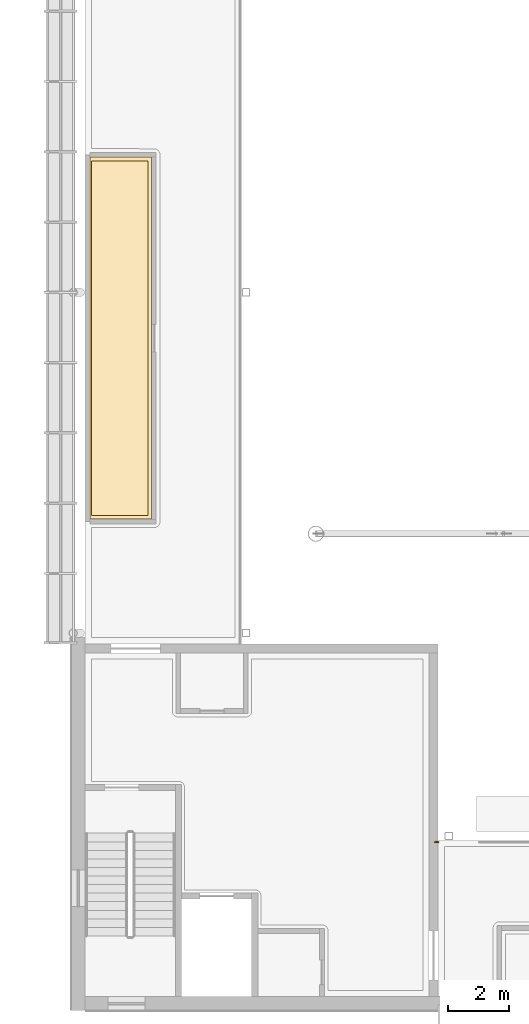
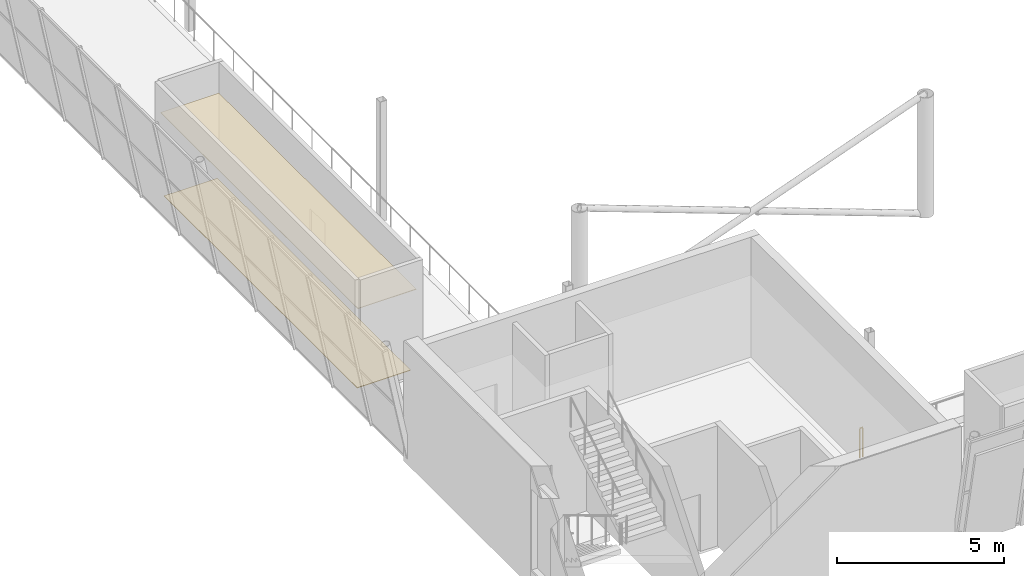
# One storey, part 97 of 115: 2 coverings, 1 railing.
"""IFC4 building model written with IfcOpenShell, lengths in metres."""

from ifc_helpers import new_model, si_unit, direction, frame, origin, origin_2d, place, context, subcontext, project, spatial, polyline, circle, outline, extrude, material, layer, layer_set, type_object, element, save


model = new_model("IFC4")

# Units and contexts
model_context = context("Model", 3, precision=1e-05, world=origin(), true_north=direction((0.0, 1.0)))
body_context = subcontext(model_context, "Body", "Model", "MODEL_VIEW")
ifc_project = project(units=[si_unit("LENGTHUNIT", "METRE"), si_unit("AREAUNIT", "SQUARE_METRE"), si_unit("VOLUMEUNIT", "CUBIC_METRE"), si_unit("PLANEANGLEUNIT", "RADIAN"), si_unit("MASSUNIT", "GRAM", prefix="KILO")], contexts=[model_context])

# Site, building, storey
site_placement = place(None, origin())
site = spatial("IfcSite", under=ifc_project, at=site_placement, CompositionType="ELEMENT")
building_placement = place(site_placement, origin())
building = spatial("IfcBuilding", under=site, at=building_placement, Name="Windward Yard Aquatics Centre", CompositionType="ELEMENT")
storey_placement = place(building_placement, frame((0.0, 0.0, 5.0)))
storey = spatial("IfcBuildingStorey", under=building, at=storey_placement, Name="L01", CompositionType="ELEMENT", Elevation=5.0)

# Covering
ifc_material_1 = material(Name="Polished screed")
ifc_layer_1 = layer(ifc_material_1, 0.0400390625)
ifc_layer_set_1 = layer_set([ifc_layer_1], Name="H Floor Finish Screed 40")
covering_type_1 = type_object("IfcCoveringType", Name="H Floor Finish Screed 40", PredefinedType="FLOORING", material=ifc_layer_set_1)
covering_1_placement = place(storey_placement, origin())
element("IfcCovering", 1, at=covering_1_placement, inside=storey, type_object=covering_type_1, Name="Cafe Counter floor finish", PredefinedType="FLOORING", context=body_context, shape_type="SweptSolid", body=[
    extrude(outline(polyline([(52.64990234375, 42.199951171875), (52.64990234375, 53.800048828125), (54.5, 53.800048828125), (54.5, 42.199951171875), (52.64990234375, 42.199951171875)])), origin(), (0.0, 0.0, 1.0), 0.02001953125),
])

# Railing
ifc_material_2 = material(Name="Stainless steel 1.4529", Category="steel")
railing_type = type_object("IfcRailingType", Name="H Guard Steel 1100", PredefinedType="GUARDRAIL", material=ifc_material_2)
railing_placement = place(storey_placement, frame((64.0, 31.509521484375, 0.0)))
element("IfcRailing", 2, at=railing_placement, inside=storey, type_object=railing_type, Name="Concourse edge guard S1", PredefinedType="GUARDRAIL", context=body_context, shape_type="SweptSolid", body=[
    extrude(circle(Radius=0.02392578125, at=origin_2d()), frame((0.0, 0.0, 1.076171875), z_axis=(-1.0, 0.0, 0.0), x_axis=(0.0, -1.0, 0.0)), (0.0, 0.0, 1.0), 0.10009765625),
    extrude(circle(Radius=0.02099609375, at=origin_2d()), origin(), (0.0, 0.0, 1.0), 1.052001953125),
    extrude(circle(Radius=0.02099609375, at=origin_2d()), frame((-0.10009765625, 0.0, 0.0)), (0.0, 0.0, 1.0), 1.052001953125),
])

# Covering
ifc_material_3 = material(Name="Mineral fibre tile")
ifc_layer_2 = layer(ifc_material_3, 0.02001953125)
ifc_layer_set_2 = layer_set([ifc_layer_2], Name="H Suspended Ceiling 600 x 600")
covering_type_2 = type_object("IfcCoveringType", Name="H Suspended Ceiling 600 x 600", PredefinedType="CEILING", material=ifc_layer_set_2)
covering_2_placement = place(storey_placement, frame((0.0, 0.0, 3.0)))
element("IfcCovering", 3, at=covering_2_placement, inside=storey, type_object=covering_type_2, Name="Cafe Counter ceiling", PredefinedType="CEILING", context=body_context, shape_type="SweptSolid", body=[
    extrude(outline(polyline([(52.6005859375, 42.075439453125), (52.6005859375, 53.924560546875), (54.62451171875, 53.924560546875), (54.62451171875, 42.075439453125), (52.6005859375, 42.075439453125)])), origin(), (0.0, 0.0, 1.0), 0.02001953125),
])

save(model, "model.ifc")
